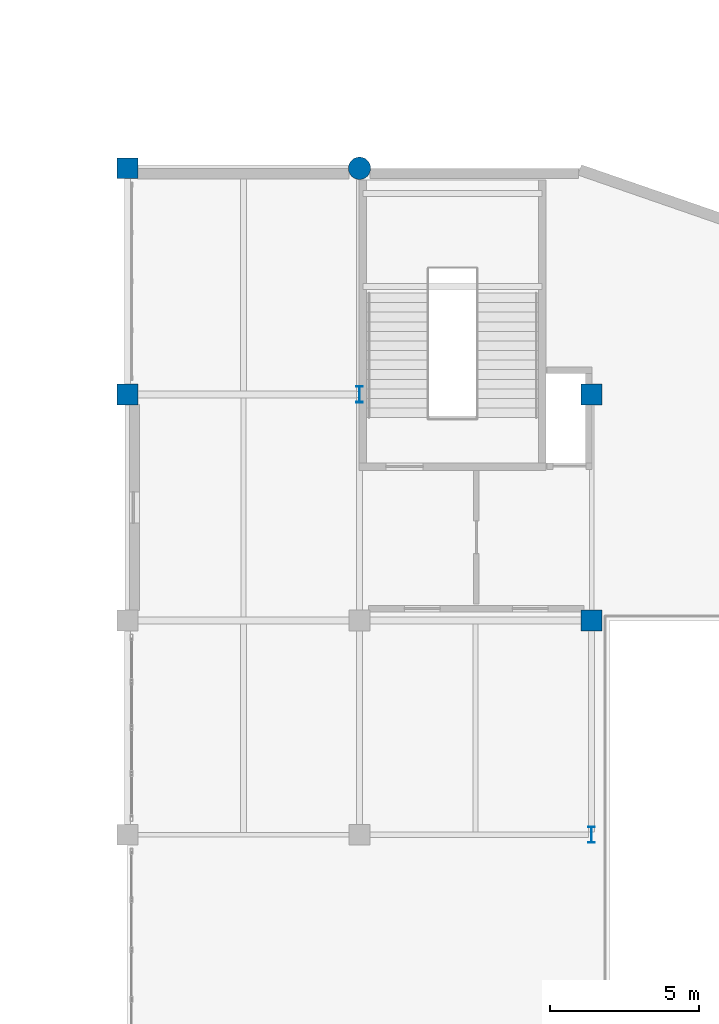
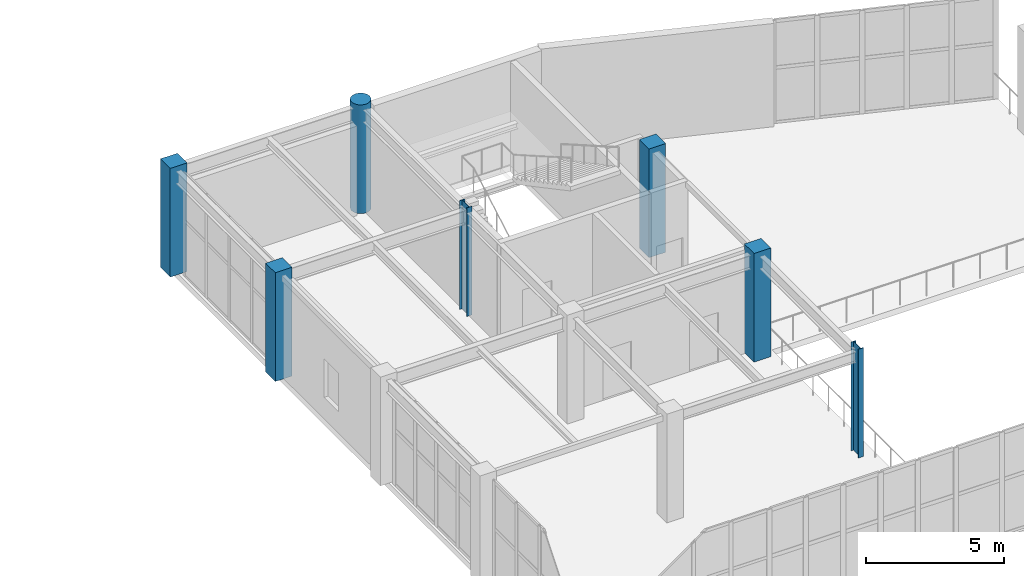
# One storey, part 7 of 72: 7 columns.
"""IFC4 building model written with IfcOpenShell, lengths in metres."""

from ifc_helpers import new_model, si_unit, direction, frame, origin, origin_2d, place, context, subcontext, project, spatial, rectangle, circle, i_section, extrude, material, material_profile, profile_set, type_object, element, save


model = new_model("IFC4")

# Units and contexts
model_context = context("Model", 3, precision=1e-05, world=origin(), true_north=direction((0.0, 1.0)))
body_context = subcontext(model_context, "Body", "Model", "MODEL_VIEW")
ifc_project = project(units=[si_unit("LENGTHUNIT", "METRE"), si_unit("AREAUNIT", "SQUARE_METRE"), si_unit("VOLUMEUNIT", "CUBIC_METRE"), si_unit("PLANEANGLEUNIT", "RADIAN"), si_unit("MASSUNIT", "GRAM", prefix="KILO")], contexts=[model_context])

# Site, building, storey
site_placement = place(None, origin())
site = spatial("IfcSite", under=ifc_project, at=site_placement, CompositionType="ELEMENT")
building_placement = place(site_placement, origin())
building = spatial("IfcBuilding", under=site, at=building_placement, Name="Xicomal Pleat Aquarium", CompositionType="ELEMENT")
storey_placement = place(building_placement, frame((0.0, 0.0, 10.5)))
storey = spatial("IfcBuildingStorey", under=building, at=storey_placement, Name="L03", CompositionType="ELEMENT", Elevation=10.5)

# Columns
ifc_material_1 = material(Name="Concrete C40/50", Category="concrete")
ifc_material_profile_1 = material_profile(ifc_material_1, rectangle(XDim=0.699951171875, YDim=0.699951171875, at=origin_2d()), Name="RC 700x700")
ifc_profile_set_1 = profile_set([ifc_material_profile_1], Name="Concrete C40/50")
column_type_1 = type_object("IfcColumnType", Name="COL-RC-700x700", PredefinedType="COLUMN", material=ifc_profile_set_1)
for number, where, z_axis, x_axis, name in (
    (1, (133.800048828125, 22.800048828125, 0.0), (0.0, 0.0, 1.0), (1.0, 0.0, 0.0), "L03 column 17/D"),
    (2, (133.800048828125, 30.39990234375, 0.0), (0.0, 0.0, 1.0), (1.0, 0.0, 0.0), "L03 column 17/E"),
    (3, (149.39990234375, 15.199951171875, 0.0), (0.0, 0.0, 1.0), (1.0, 0.0, 0.0), "L03 column 19/C"),
    (4, (149.39990234375, 22.800048828125, 0.0), (0.0, 0.0, 1.0), (1.0, 0.0, 0.0), "L03 column 19/D"),
):
    element("IfcColumn", number, at=place(storey_placement, frame(where, z_axis=z_axis, x_axis=x_axis)), inside=storey, type_object=column_type_1, Name=name, PredefinedType="COLUMN", context=body_context, shape_type="SweptSolid", body=[
        extrude(rectangle(XDim=0.699951171875, YDim=0.699951171875, at=origin_2d()), origin(), (0.0, 0.0, 1.0), 4.800048828125),
    ])
ifc_material_2 = material(Name="Concrete C40/50", Category="concrete")
ifc_material_profile_2 = material_profile(ifc_material_2, circle(Radius=0.375, at=origin_2d()), Name="RCC D750")
ifc_profile_set_2 = profile_set([ifc_material_profile_2], Name="Concrete C40/50")
column_type_2 = type_object("IfcColumnType", Name="COL-RCC-D750", PredefinedType="COLUMN", material=ifc_profile_set_2)
column_placement = place(storey_placement, frame((141.60009765625, 30.39990234375, 0.0), z_axis=(0.0, 0.0, 1.0), x_axis=(1.0, 0.0, 0.0)))
element("IfcColumn", 5, at=column_placement, inside=storey, type_object=column_type_2, Name="L03 column 18/E", PredefinedType="COLUMN", context=body_context, shape_type="SweptSolid", body=[
    extrude(circle(Radius=0.375, at=origin_2d()), origin(), (0.0, 0.0, 1.0), 4.800048828125),
])
ifc_material_3 = material(Name="Structural steel A992 Gr 50", Category="steel")
ifc_material_profile_3 = material_profile(ifc_material_3, i_section(OverallWidth=0.2119140625, OverallDepth=0.5439453125, WebThickness=0.01318359375, FlangeThickness=0.021240234375, at=origin_2d()), Name="IR 530x123")
ifc_profile_set_3 = profile_set([ifc_material_profile_3], Name="Structural steel A992 Gr 50")
column_type_3 = type_object("IfcColumnType", Name="COL-STL-IR530", PredefinedType="COLUMN", material=ifc_profile_set_3)
for number, where, z_axis, x_axis, name in (
    (6, (141.60009765625, 22.800048828125, 0.0), (0.0, 0.0, 1.0), (1.0, 0.0, 0.0), "L03 column 18/D"),
    (7, (149.39990234375, 8.0, 0.0), (0.0, 0.0, 1.0), (1.0, 0.0, 0.0), "L03 column 19/B"),
):
    element("IfcColumn", number, at=place(storey_placement, frame(where, z_axis=z_axis, x_axis=x_axis)), inside=storey, type_object=column_type_3, Name=name, PredefinedType="COLUMN", context=body_context, shape_type="SweptSolid", body=[
        extrude(i_section(OverallWidth=0.2119140625, OverallDepth=0.5439453125, WebThickness=0.01318359375, FlangeThickness=0.021240234375, at=origin_2d()), origin(), (0.0, 0.0, 1.0), 4.800048828125),
    ])

save(model, "model.ifc")
